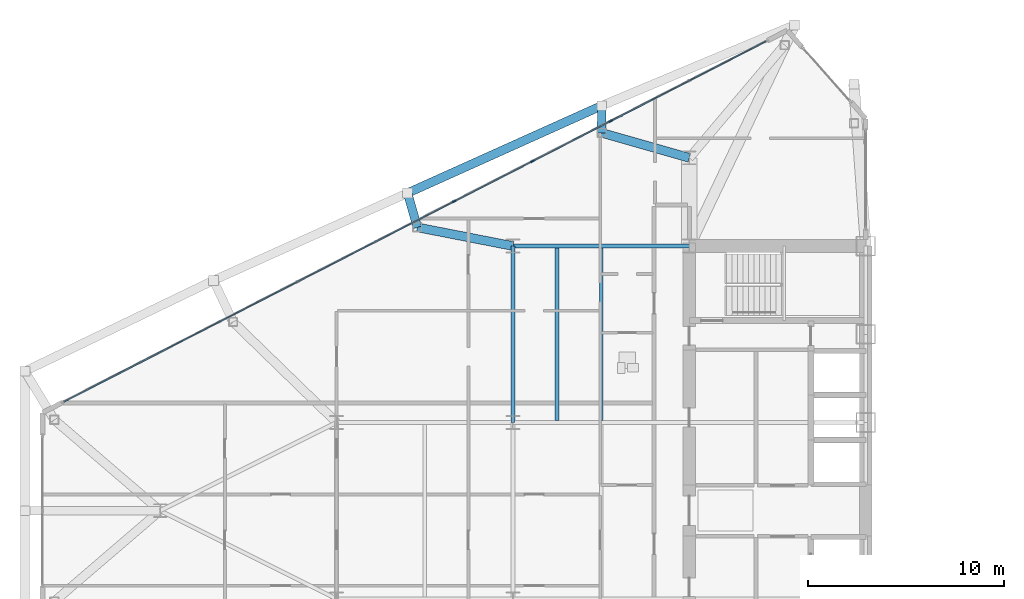
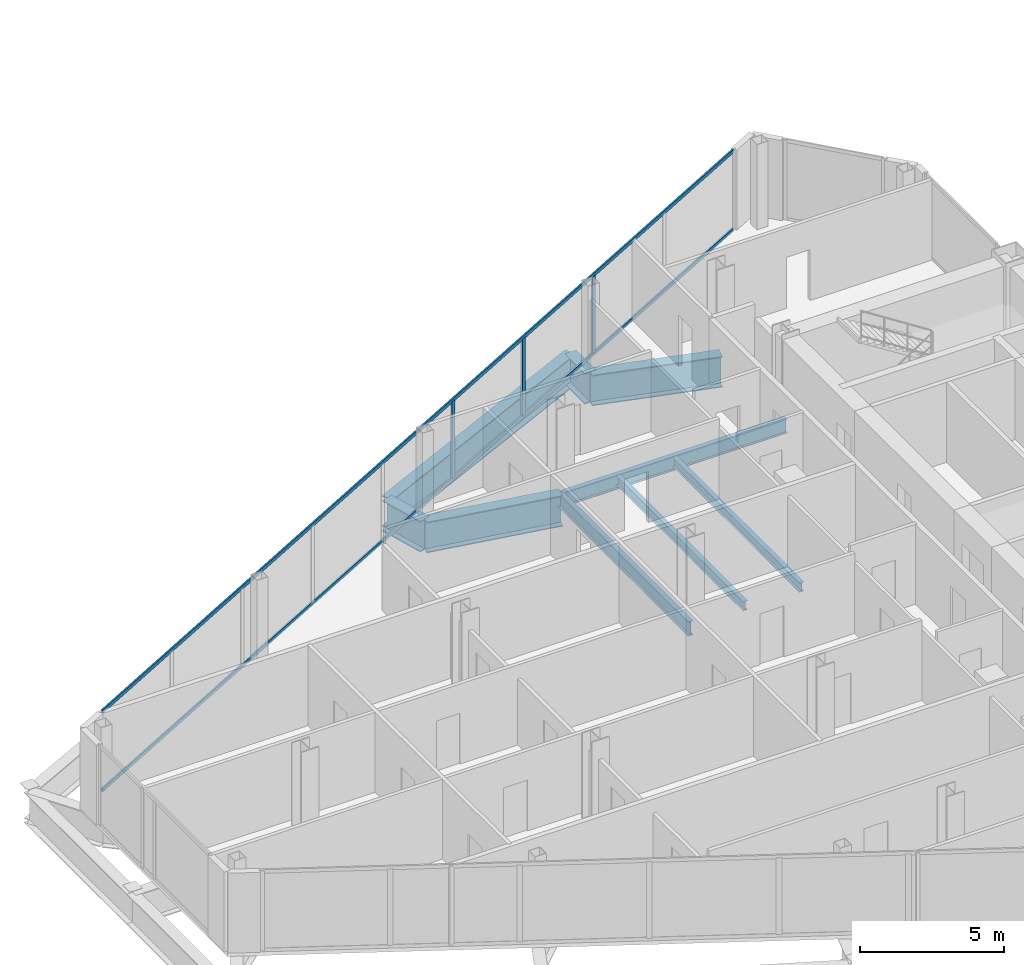
# One storey, part 8 of 28: 9 beams, 5 members, 1 element without a shape of its own.
"""IFC4 building model written with IfcOpenShell, lengths in metres."""

import ifcopenshell
import ifcopenshell.guid

model = None  # the IFC model being written
_history = None  # IfcOwnerHistory: only IFC2X3 demands one
_inside = {}  # id of a spatial element -> (the spatial element, [elements in it])
_under = {}  # id of a project, library or spatial element -> (it, [spatial elements below it])
_declared = {}  # id of a project -> (the project, [libraries it declares])
_typed = {}  # id of a type object -> (the type object, [elements of that type])
_made_of = {}  # id of a material, layer set ... -> (it, [elements and type objects made of it])


def new_model(schema):
    """Start an empty IFC model of exactly this schema.

    Asked for "IFC4X3", IfcOpenShell would pick the latest addendum, in which some entities
    have other attributes; the version numbers below select the first issue.
    IFC2X3 requires an IfcOwnerHistory on every rooted entity: one is made here for all.
    """
    global model, _history
    if schema == "IFC4X3":
        model = ifcopenshell.file(schema_version=(4, 3, 0, 0))
    else:
        model = ifcopenshell.file(schema=schema)
    _inside.clear()
    _under.clear()
    _declared.clear()
    _typed.clear()
    _made_of.clear()
    _history = None
    if model.schema == "IFC2X3":
        org = make("IfcOrganization", Name="unknown")
        user = make(
            "IfcPersonAndOrganization",
            ThePerson=make("IfcPerson", FamilyName="unknown"),
            TheOrganization=org,
        )
        app = make(
            "IfcApplication",
            ApplicationDeveloper=org,
            Version="unknown",
            ApplicationFullName="unknown",
            ApplicationIdentifier="unknown",
        )
        _history = make(
            "IfcOwnerHistory",
            OwningUser=user,
            OwningApplication=app,
            ChangeAction="ADDED",
            CreationDate=0,
        )
    return model


def make(cls, **values):
    """One entity of the class cls with the attributes given. An attribute that is None is left unset."""
    return model.create_entity(
        cls, **{name: value for name, value in values.items() if value is not None}
    )


def rooted(cls, **values):
    """An entity with a GlobalId (a new one), such as an element, a storey or a relation."""
    return make(cls, GlobalId=ifcopenshell.guid.new(), OwnerHistory=_history, **values)


def si_unit(unit_type, name, prefix=None):
    """IfcSIUnit, for example si_unit("LENGTHUNIT", "METRE", prefix="MILLI")."""
    return make("IfcSIUnit", UnitType=unit_type, Prefix=prefix, Name=name)


def assignment(units):
    """IfcUnitAssignment: the units of a project."""
    return None if units is None else make("IfcUnitAssignment", Units=units)


def point(xyz):
    """IfcCartesianPoint."""
    return None if xyz is None else make("IfcCartesianPoint", Coordinates=xyz)


def direction(xyz):
    """IfcDirection."""
    return None if xyz is None else make("IfcDirection", DirectionRatios=xyz)


def frame(location, z_axis=None, x_axis=None):
    """IfcAxis2Placement3D, a coordinate frame: its origin and axes. An axis left out is left unset."""
    return make(
        "IfcAxis2Placement3D",
        Location=point(location),
        Axis=direction(z_axis),
        RefDirection=direction(x_axis),
    )


def frame_2d(location, x_axis=None):
    """IfcAxis2Placement2D, a coordinate frame in the plane: its origin and x axis."""
    return make(
        "IfcAxis2Placement2D", Location=point(location), RefDirection=direction(x_axis)
    )


def origin():
    """The frame at (0, 0, 0) with its axes left unset."""
    return frame((0.0, 0.0, 0.0))


def origin_2d():
    """The frame at (0, 0) in the plane with its x axis left unset."""
    return frame_2d((0.0, 0.0))


def place(relative_to, where):
    """IfcLocalPlacement: puts the frame where relative to a parent placement (None: the world)."""
    return make(
        "IfcLocalPlacement", PlacementRelTo=relative_to, RelativePlacement=where
    )


def context(
    kind, dimensions, precision=None, world=None, true_north=None, identifier=None
):
    """IfcGeometricRepresentationContext, for example the 3D "Model" context."""
    return make(
        "IfcGeometricRepresentationContext",
        ContextIdentifier=identifier,
        ContextType=kind,
        CoordinateSpaceDimension=dimensions,
        Precision=precision,
        WorldCoordinateSystem=world,
        TrueNorth=true_north,
    )


def subcontext(parent, identifier, kind, view, scale=None):
    """IfcGeometricRepresentationSubContext, for example "Body" below "Model"."""
    return make(
        "IfcGeometricRepresentationSubContext",
        ContextIdentifier=identifier,
        ContextType=kind,
        ParentContext=parent,
        TargetScale=scale,
        TargetView=view,
    )


def project(units=None, contexts=None):
    """IfcProject with its units and contexts."""
    return rooted(
        "IfcProject",
        Name="project",
        RepresentationContexts=contexts,
        UnitsInContext=assignment(units),
    )


def spatial(cls, under=None, at=None, **own):
    """A site, building, storey or space (cls), placed at a placement, below another one or the project."""
    s = rooted(cls, ObjectPlacement=at, **own)
    if under is not None:
        _under.setdefault(under.id(), (under, []))[1].append(s)
    return s


def profile(cls, at=None, kind="AREA", **sizes):
    """A parametric profile (cls). Its sizes go by their IFC names, for example OverallWidth=200.0."""
    return make(cls, ProfileType=kind, Position=at, **sizes)


def rectangle(**sizes):
    """IfcRectangleProfileDef."""
    return profile("IfcRectangleProfileDef", **sizes)


def i_section(**sizes):
    """IfcIShapeProfileDef."""
    return profile("IfcIShapeProfileDef", **sizes)


def extrude(swept, where, along, depth):
    """IfcExtrudedAreaSolid: the profile swept, set in the frame where, extruded along a direction by depth."""
    return make(
        "IfcExtrudedAreaSolid",
        SweptArea=swept,
        Position=where,
        ExtrudedDirection=direction(along),
        Depth=depth,
    )


def shape(context_of_items, identifier, shape_type, items):
    """IfcShapeRepresentation: the items that make up one representation, for example the "Body"."""
    return make(
        "IfcShapeRepresentation",
        ContextOfItems=context_of_items,
        RepresentationIdentifier=identifier,
        RepresentationType=shape_type,
        Items=items,
    )


def source(mapping_origin, context_of_items, identifier, shape_type, items):
    """IfcRepresentationMap: a shape defined once, which mapped items show again and again."""
    return make(
        "IfcRepresentationMap",
        MappingOrigin=mapping_origin,
        MappedRepresentation=shape(context_of_items, identifier, shape_type, items),
    )


def transform(
    local_origin,
    x_axis=None,
    y_axis=None,
    z_axis=None,
    scale=None,
    scale2=None,
    scale3=None,
    uniform=True,
):
    """IfcCartesianTransformationOperator3D, or its non-uniform kind. x_axis, y_axis, z_axis: its Axis1, 2, 3."""
    if uniform:
        return make(
            "IfcCartesianTransformationOperator3D",
            Axis1=direction(x_axis),
            Axis2=direction(y_axis),
            LocalOrigin=point(local_origin),
            Scale=scale,
            Axis3=direction(z_axis),
        )
    return make(
        "IfcCartesianTransformationOperator3DnonUniform",
        Axis1=direction(x_axis),
        Axis2=direction(y_axis),
        LocalOrigin=point(local_origin),
        Scale=scale,
        Axis3=direction(z_axis),
        Scale2=scale2,
        Scale3=scale3,
    )


def mapped(mapping_source, mapping_target):
    """IfcMappedItem: shows the shape of a source again, moved by a transform."""
    return make(
        "IfcMappedItem", MappingSource=mapping_source, MappingTarget=mapping_target
    )


def material(Name=None, Category=None):
    """IfcMaterial."""
    return make("IfcMaterial", Name=Name, Category=Category)


def layer(
    of_material, thickness, ventilated=None, Name=None, Category=None, Priority=None
):
    """IfcMaterialLayer: one layer of a wall or slab, of a material (None: an air gap)."""
    return make(
        "IfcMaterialLayer",
        Material=of_material,
        LayerThickness=thickness,
        IsVentilated=ventilated,
        Name=Name,
        Category=Category,
        Priority=Priority,
    )


def layer_set(layers, Name=None):
    """IfcMaterialLayerSet."""
    return make("IfcMaterialLayerSet", MaterialLayers=layers, LayerSetName=Name)


def material_profile(
    of_material, cross_section, Name=None, Category=None, Priority=None
):
    """IfcMaterialProfile: a cross section and its material."""
    return make(
        "IfcMaterialProfile",
        Name=Name,
        Material=of_material,
        Profile=cross_section,
        Priority=Priority,
        Category=Category,
    )


def profile_set(profiles, Name=None, composite=None):
    """IfcMaterialProfileSet."""
    return make(
        "IfcMaterialProfileSet",
        Name=Name,
        MaterialProfiles=profiles,
        CompositeProfile=composite,
    )


def made_of(thing, what):
    """Note that an element or type object is made of a material, layer set ...; save() writes the relation."""
    if what is not None:
        _made_of.setdefault(what.id(), (what, []))[1].append(thing)
    return thing


def type_object(cls, material=None, **own):
    """A type object (cls), such as IfcWallType, which elements share."""
    return made_of(rooted(cls, **own), material)


def type_shapes(of_type, sources):
    """Give a type object the sources (RepresentationMaps) that its elements show as mapped items."""
    of_type.RepresentationMaps = sources


def element(
    cls,
    number,
    at=None,
    inside=None,
    cuts=None,
    type_object=None,
    material=None,
    context=None,
    identifier="Body",
    shape_type=None,
    held_by="IfcProductDefinitionShape",
    body=None,
    shapes=None,
    **own,
):
    """One element of the class cls, such as IfcWall. Its Tag is "e" and its number.

    at: its placement. inside: the storey or other place that contains it. cuts: it is an
    opening in that element (IfcRelVoidsElement). A single representation is given by context,
    identifier, shape_type and body (its items); several are given by shapes. held_by: the class
    of the entity that holds the representations. save() writes the other relations.
    """
    e = rooted(cls, Tag="e%d" % number, ObjectPlacement=at, **own)
    if body is not None:
        shapes = [shape(context, identifier, shape_type, body)]
    if shapes is not None:
        e.Representation = make(held_by, Representations=shapes)
    if inside is not None:
        _inside.setdefault(inside.id(), (inside, []))[1].append(e)
    if cuts is not None:
        rooted(
            "IfcRelVoidsElement", RelatingBuildingElement=cuts, RelatedOpeningElement=e
        )
    if type_object is not None:
        _typed.setdefault(type_object.id(), (type_object, []))[1].append(e)
    return made_of(e, material)


def aggregate(whole, parts):
    """IfcRelAggregates: a whole, such as a stair, and the parts it consists of."""
    return rooted("IfcRelAggregates", RelatingObject=whole, RelatedObjects=parts)


def save(model, path):
    """Write the relations noted so far, then the file.

    IfcRelAggregates (storeys below a building ...), IfcRelContainedInSpatialStructure (elements
    in a storey), IfcRelDefinesByType, IfcRelAssociatesMaterial and IfcRelDeclares: one each for
    every whole, place, type object, material and project.
    """
    for whole, parts in _under.values():
        aggregate(whole, parts)
    for where, things in _inside.values():
        rooted(
            "IfcRelContainedInSpatialStructure",
            RelatedElements=things,
            RelatingStructure=where,
        )
    for kind, things in _typed.values():
        rooted("IfcRelDefinesByType", RelatedObjects=things, RelatingType=kind)
    for what, things in _made_of.values():
        rooted("IfcRelAssociatesMaterial", RelatedObjects=things, RelatingMaterial=what)
    for by, libraries in _declared.values():
        rooted("IfcRelDeclares", RelatingContext=by, RelatedDefinitions=libraries)
    model.write(path)


model = new_model("IFC4")

# Units and contexts
model_context = context("Model", 3, precision=1e-05, world=origin(), true_north=direction((0.0, 1.0)))
body_context = subcontext(model_context, "Body", "Model", "MODEL_VIEW")
ifc_project = project(units=[si_unit("LENGTHUNIT", "METRE"), si_unit("AREAUNIT", "SQUARE_METRE"), si_unit("VOLUMEUNIT", "CUBIC_METRE"), si_unit("PLANEANGLEUNIT", "RADIAN"), si_unit("MASSUNIT", "GRAM", prefix="KILO")], contexts=[model_context])

# Site, building, storey
site_placement = place(None, origin())
site = spatial("IfcSite", under=ifc_project, at=site_placement, CompositionType="ELEMENT")
building_placement = place(site_placement, origin())
building = spatial("IfcBuilding", under=site, at=building_placement, Name="Seokmaru Belvedere", CompositionType="ELEMENT")
storey_placement = place(building_placement, frame((0.0, 0.0, 110.39990234375)))
storey = spatial("IfcBuildingStorey", under=building, at=storey_placement, Name="L29", CompositionType="ELEMENT", Elevation=110.39990234375)

# Beams
ifc_material_1 = material(Name="Steel SM355 (355 MPa)", Category="steel")
ifc_material_profile_1 = material_profile(ifc_material_1, i_section(OverallWidth=0.199951171875, OverallDepth=0.60009765625, WebThickness=0.010986328125, FlangeThickness=0.01708984375, at=origin_2d()), Name="H-600x200x11x17")
ifc_profile_set_1 = profile_set([ifc_material_profile_1], Name="Steel SM355 (355 MPa)")
beam_type_1 = type_object("IfcBeamType", Name="Primary Floor Girder H-600", PredefinedType="BEAM", material=ifc_profile_set_1)
shared_shape_1 = source(origin(), body_context, "Body", "SweptSolid", [
    extrude(i_section(OverallWidth=0.199951171875, OverallDepth=0.60009765625, WebThickness=0.010986328125, FlangeThickness=0.01708984375, at=origin_2d()), origin(), (0.0, 0.0, 1.0), 9.0),
])
type_shapes(beam_type_1, [shared_shape_1])
for number, where, z_axis, x_axis, name in (
    (1, (-45.5, 4.5, -0.52001953125), (0.0, 1.0, 0.0), (-1.0, 0.0, 0.0), "L29 W Interior Grid Girder 3"),
    (2, (-45.5, 13.5, -0.52001953125), (1.0, 0.0, 0.0), (0.0, 1.0, 0.0), "L29 W Wing Primary Girder 4"),
):
    element("IfcBeam", number, at=place(storey_placement, frame(where, z_axis=z_axis, x_axis=x_axis)), inside=storey, type_object=beam_type_1, Name=name, PredefinedType="BEAM", context=body_context, shape_type="MappedRepresentation", body=[
        mapped(shared_shape_1, transform((0.0, 0.0, 0.0), scale=1.0)),
    ])
ifc_material_profile_2 = material_profile(ifc_material_1, i_section(OverallWidth=0.18505859375, OverallDepth=0.389892578125, WebThickness=0.008056640625, FlangeThickness=0.011962890625, at=origin_2d()), Name="H-390x185x8x12")
ifc_profile_set_2 = profile_set([ifc_material_profile_2], Name="Steel SM355 (355 MPa)")
beam_type_2 = type_object("IfcBeamType", Name="Secondary Floor Joist H-350", PredefinedType="JOIST", material=ifc_profile_set_2)
shared_shape_2 = source(origin(), body_context, "Body", "SweptSolid", [
    extrude(i_section(OverallWidth=0.18505859375, OverallDepth=0.389892578125, WebThickness=0.008056640625, FlangeThickness=0.011962890625, at=origin_2d()), origin(), (0.0, 0.0, 1.0), 8.7900390625),
])
type_shapes(beam_type_2, [shared_shape_2])
for number, where, z_axis, x_axis, name in (
    (3, (-43.25, 4.60498046875, -0.414794921875), (0.0, 1.0, 0.0), (-1.0, 0.0, 0.0), "L29 W Wing Inner Secondary Joist 2"),
    (4, (-41.0, 4.60498046875, -0.414794921875), (0.0, 1.0, 0.0), (-1.0, 0.0, 0.0), "L29 W Secondary Floor Joist 3"),
):
    element("IfcBeam", number, at=place(storey_placement, frame(where, z_axis=z_axis, x_axis=x_axis)), inside=storey, type_object=beam_type_2, Name=name, PredefinedType="JOIST", context=body_context, shape_type="MappedRepresentation", body=[
        mapped(shared_shape_2, transform((0.0, 0.0, 0.0), scale=1.0)),
    ])
ifc_material_2 = material(Name="Steel HSA650 (650 MPa)", Category="steel")
ifc_material_profile_3 = material_profile(ifc_material_2, i_section(OverallWidth=0.449951171875, OverallDepth=1.300048828125, WebThickness=0.02197265625, FlangeThickness=0.0380859375, at=origin_2d()), Name="BH-1300x450x22x38")
ifc_profile_set_3 = profile_set([ifc_material_profile_3], Name="Steel HSA650 (650 MPa)")
beam_type_3 = type_object("IfcBeamType", Name="Observatory Long-Span Roof Girder BH-1300", PredefinedType="BEAM", material=ifc_profile_set_3)
shared_shape_3 = source(origin(), body_context, "Body", "SweptSolid", [
    extrude(i_section(OverallWidth=0.449951171875, OverallDepth=1.300048828125, WebThickness=0.02197265625, FlangeThickness=0.0380859375, at=origin_2d()), origin(), (0.0, 0.0, 1.0), 10.85888671875),
])
beam_1_placement = place(storey_placement, frame((-40.97265625, 20.661376953125, -0.869873046875), z_axis=(-0.911921505175, -0.410364677329, 0.0), x_axis=(0.410364677329, -0.911921505175, 0.0)))
element("IfcBeam", 5, at=beam_1_placement, inside=storey, type_object=beam_type_3, Name="L29 W Faceted Flank Spandrel N-2", PredefinedType="BEAM", context=body_context, shape_type="MappedRepresentation", body=[
    mapped(shared_shape_3, transform((0.0, 0.0, 0.0), scale=1.0)),
])
shared_shape_4 = source(origin(), body_context, "Body", "SweptSolid", [
    extrude(i_section(OverallWidth=0.449951171875, OverallDepth=1.300048828125, WebThickness=0.02197265625, FlangeThickness=0.0380859375, at=origin_2d()), origin(), (0.0, 0.0, 1.0), 1.3837890625),
])
beam_2_placement = place(storey_placement, frame((-40.97265625, 20.661376953125, -0.869873046875), z_axis=(-0.002293571949, -0.99999736976, 0.0), x_axis=(0.99999736976, -0.002293571949, 0.0)))
element("IfcBeam", 6, at=beam_2_placement, inside=storey, type_object=beam_type_3, Name="L29 W Flank Setback Step Girder N-1", PredefinedType="BEAM", context=body_context, shape_type="MappedRepresentation", body=[
    mapped(shared_shape_4, transform((0.0, 0.0, 0.0), scale=1.0)),
])
shared_shape_5 = source(origin(), body_context, "Body", "SweptSolid", [
    extrude(i_section(OverallWidth=0.449951171875, OverallDepth=1.300048828125, WebThickness=0.02197265625, FlangeThickness=0.0380859375, at=origin_2d()), origin(), (0.0, 0.0, 1.0), 4.654541015625),
])
beam_3_placement = place(storey_placement, frame((-40.975830078125, 19.277587890625, -0.869873046875), z_axis=(0.961593192625, -0.274478654721, 0.0), x_axis=(0.274478654721, 0.961593192625, 0.0)))
element("IfcBeam", 7, at=beam_3_placement, inside=storey, type_object=beam_type_3, Name="L29 W Flank Setback Back-Span Girder N-1", PredefinedType="BEAM", context=body_context, shape_type="MappedRepresentation", body=[
    mapped(shared_shape_5, transform((0.0, 0.0, 0.0), scale=1.0)),
])
shared_shape_6 = source(origin(), body_context, "Body", "SweptSolid", [
    extrude(i_section(OverallWidth=0.449951171875, OverallDepth=1.300048828125, WebThickness=0.02197265625, FlangeThickness=0.0380859375, at=origin_2d()), origin(), (0.0, 0.0, 1.0), 1.8212890625),
])
beam_4_placement = place(storey_placement, frame((-50.875, 16.205322265625, -0.869873046875), z_axis=(0.27332219407, -0.961922542739, 0.0), x_axis=(0.961922542739, 0.27332219407, 0.0)))
element("IfcBeam", 8, at=beam_4_placement, inside=storey, type_object=beam_type_3, Name="L29 W Flank Setback Step Girder N-2", PredefinedType="BEAM", context=body_context, shape_type="MappedRepresentation", body=[
    mapped(shared_shape_6, transform((0.0, 0.0, 0.0), scale=1.0)),
])
shared_shape_7 = source(origin(), body_context, "Body", "SweptSolid", [
    extrude(i_section(OverallWidth=0.449951171875, OverallDepth=1.300048828125, WebThickness=0.02197265625, FlangeThickness=0.0380859375, at=origin_2d()), origin(), (0.0, 0.0, 1.0), 4.969482421875),
])
type_shapes(beam_type_3, [shared_shape_3, shared_shape_4, shared_shape_5, shared_shape_6, shared_shape_7])
beam_5_placement = place(storey_placement, frame((-50.377197265625, 14.453369140625, -0.869873046875), z_axis=(0.98142544456, -0.19184393858, 0.0), x_axis=(0.19184393858, 0.98142544456, 0.0)))
element("IfcBeam", 9, at=beam_5_placement, inside=storey, type_object=beam_type_3, Name="L29 W Flank Setback Back-Span Girder N-2", PredefinedType="BEAM", context=body_context, shape_type="MappedRepresentation", body=[
    mapped(shared_shape_7, transform((0.0, 0.0, 0.0), scale=1.0)),
])

# Curtain wall, members
ifc_material_3 = material(Name="Bronze Triple Insulating Glass", Category="glass")
ifc_layer = layer(ifc_material_3, 0.195068359375)
ifc_layer_set = layer_set([ifc_layer], Name="Bronze Triple Insulating Glass")
curtain_wall_type = type_object("IfcCurtainWallType", Name="Sky-Lobby and Mid-Rise Curtain Wall System CW-4", PredefinedType="NOTDEFINED", material=ifc_layer_set)
curtain_wall_placement = place(storey_placement, origin())
curtain_wall = element("IfcCurtainWall", 10, at=curtain_wall_placement, inside=storey, type_object=curtain_wall_type, Name="L29 Curtain Wall WF3", PredefinedType="NOTDEFINED")
ifc_material_4 = material(Name="Anodised Bronze Aluminium", Category="aluminium")
ifc_material_profile_4 = material_profile(ifc_material_4, rectangle(XDim=0.070068359375, YDim=0.195068359375, at=origin_2d()), Name="CW-M-70x195")
ifc_profile_set_4 = profile_set([ifc_material_profile_4], Name="Anodised Bronze Aluminium")
member_type_1 = type_object("IfcMemberType", Name="Bronze Unitised Mullion 70x195", PredefinedType="MULLION", material=ifc_profile_set_4)
shared_shape_8 = source(origin(), body_context, "Body", "SweptSolid", [
    extrude(rectangle(XDim=0.070068359375, YDim=0.195068359375, at=origin_2d()), origin(), (0.0, 0.0, 1.0), 3.25),
])
type_shapes(member_type_1, [shared_shape_8])
member_1_placement = place(storey_placement, frame((-40.5126953125, 19.875, 0.065185546875), z_axis=(0.0, 0.0, 1.0), x_axis=(0.456554528263, -0.889695432562, 0.0)))
member_1 = element("IfcMember", 11, at=member_1_placement, type_object=member_type_1, Name="CW:L29:WF3 Mullion 3", PredefinedType="MULLION", context=body_context, shape_type="MappedRepresentation", body=[
    mapped(shared_shape_8, transform((0.0, 0.0, 0.0), scale=1.0)),
])
member_2_placement = place(storey_placement, frame((-44.5078125, 17.824951171875, 0.065185546875), z_axis=(0.0, 0.0, 1.0), x_axis=(0.456554528263, -0.889695432562, 0.0)))
member_2 = element("IfcMember", 12, at=member_2_placement, type_object=member_type_1, Name="CW:L29:WF3 Mullion 4", PredefinedType="MULLION", context=body_context, shape_type="MappedRepresentation", body=[
    mapped(shared_shape_8, transform((0.0, 0.0, 0.0), scale=1.0)),
])
member_3_placement = place(storey_placement, frame((-48.502685546875, 15.77490234375, 0.065185546875), z_axis=(0.0, 0.0, 1.0), x_axis=(0.456554528263, -0.889695432562, 0.0)))
member_3 = element("IfcMember", 13, at=member_3_placement, type_object=member_type_1, Name="CW:L29:WF3 Mullion 5", PredefinedType="MULLION", context=body_context, shape_type="MappedRepresentation", body=[
    mapped(shared_shape_8, transform((0.0, 0.0, 0.0), scale=1.0)),
])
ifc_material_profile_5 = material_profile(ifc_material_4, rectangle(XDim=0.06494140625, YDim=0.14990234375, at=origin_2d()), Name="CW-T-65x150")
ifc_profile_set_5 = profile_set([ifc_material_profile_5], Name="Anodised Bronze Aluminium")
member_type_2 = type_object("IfcMemberType", Name="Bronze Unitised Transom 65x150", PredefinedType="USERDEFINED", material=ifc_profile_set_5)
shared_shape_9 = source(origin(), body_context, "Body", "SweptSolid", [
    extrude(rectangle(XDim=0.06494140625, YDim=0.14990234375, at=origin_2d()), origin(), (0.0, 0.0, 1.0), 40.271240234375),
])
type_shapes(member_type_2, [shared_shape_9])
member_4_placement = place(storey_placement, frame((-32.58544921875, 23.943115234375, 0.03271484375), z_axis=(-0.889693089107, -0.456559094965, 0.0), x_axis=(0.456559094965, -0.889693089107, 0.0)))
member_4 = element("IfcMember", 14, at=member_4_placement, type_object=member_type_2, Name="CW:L29:WF3 Continuous Transom 1", ObjectType="TRANSOM", PredefinedType="USERDEFINED", context=body_context, shape_type="MappedRepresentation", body=[
    mapped(shared_shape_9, transform((0.0, 0.0, 0.0), scale=1.0)),
])
member_5_placement = place(storey_placement, frame((-32.58544921875, 23.943115234375, 3.34765625), z_axis=(-0.889693089107, -0.456559094965, 0.0), x_axis=(0.456559094965, -0.889693089107, 0.0)))
member_5 = element("IfcMember", 15, at=member_5_placement, type_object=member_type_2, Name="CW:L29:WF3 Continuous Transom 2", ObjectType="TRANSOM", PredefinedType="USERDEFINED", context=body_context, shape_type="MappedRepresentation", body=[
    mapped(shared_shape_9, transform((0.0, 0.0, 0.0), scale=1.0)),
])
aggregate(curtain_wall, [member_1, member_2, member_3, member_4, member_5])

save(model, "model.ifc")
